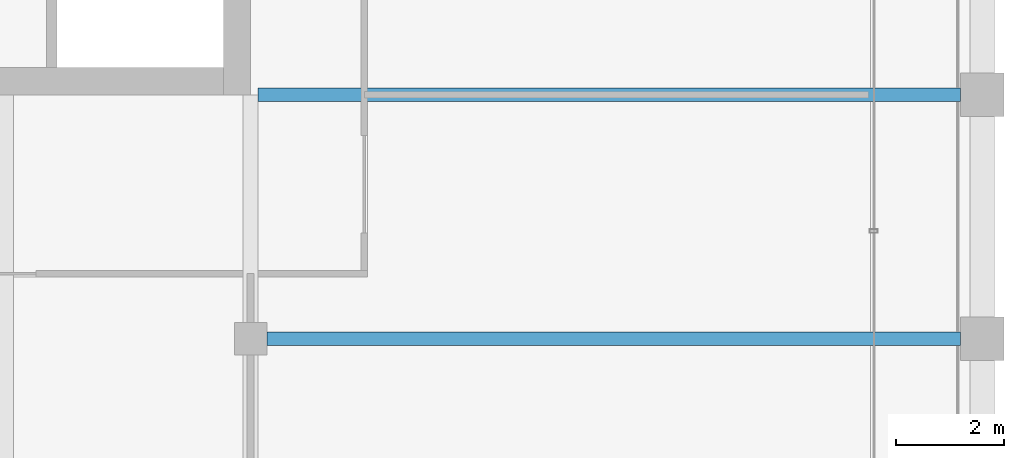
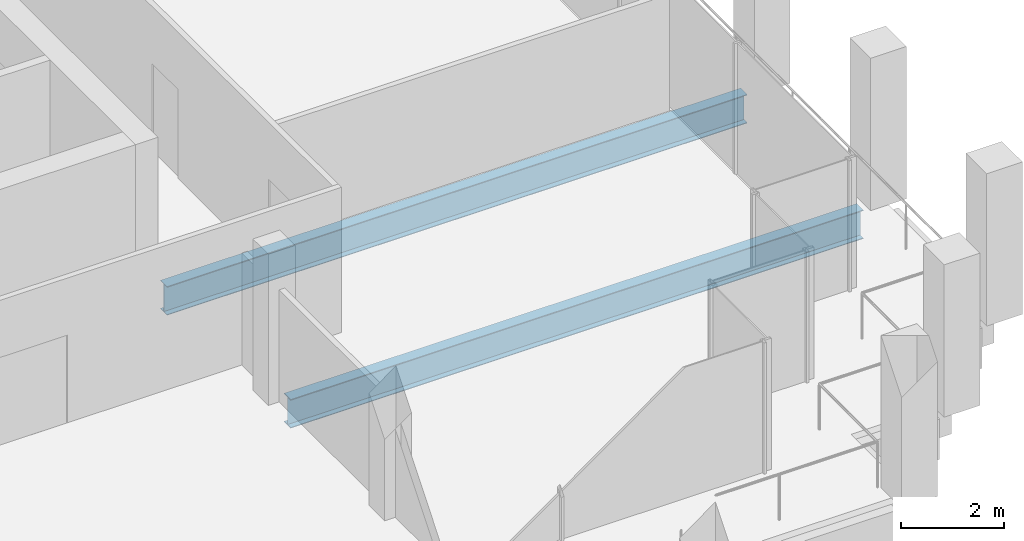
# One storey, part 14 of 30: 2 beams.
"""IFC4 building model written with IfcOpenShell, lengths in metres."""

from ifc_helpers import new_model, si_unit, direction, frame, origin, origin_2d, place, context, subcontext, project, spatial, i_section, extrude, material, material_profile, profile_set, type_object, element, save


model = new_model("IFC4")

# Units and contexts
model_context = context("Model", 3, precision=1e-05, world=origin(), true_north=direction((0.0, 1.0)))
body_context = subcontext(model_context, "Body", "Model", "MODEL_VIEW")
ifc_project = project(units=[si_unit("LENGTHUNIT", "METRE"), si_unit("AREAUNIT", "SQUARE_METRE"), si_unit("VOLUMEUNIT", "CUBIC_METRE"), si_unit("PLANEANGLEUNIT", "RADIAN"), si_unit("MASSUNIT", "GRAM", prefix="KILO")], contexts=[model_context])

# Site, building, storey
site_placement = place(None, origin())
site = spatial("IfcSite", under=ifc_project, at=site_placement, CompositionType="ELEMENT")
building_placement = place(site_placement, origin())
building = spatial("IfcBuilding", under=site, at=building_placement, Name="Altepetl Exchange Towers", CompositionType="ELEMENT")
storey_placement = place(building_placement, frame((0.0, 0.0, 231.60009765625)))
storey = spatial("IfcBuildingStorey", under=building, at=storey_placement, Name="L59", CompositionType="ELEMENT", Elevation=231.60009765625)

# Beams
ifc_material = material(Name="Steel S355", Category="steel")
ifc_material_profile = material_profile(ifc_material, i_section(OverallWidth=0.2529296875, OverallDepth=0.677978515625, WebThickness=0.01171875, FlangeThickness=0.016357421875, at=origin_2d()), Name="W27X84")
ifc_profile_set = profile_set([ifc_material_profile], Name="Steel S355")
beam_type = type_object("IfcBeamType", Name="Floor beam W27X84", PredefinedType="BEAM", material=ifc_profile_set)
beam_1_placement = place(storey_placement, frame((58.800048828125, 36.0, -0.489013671875), z_axis=(1.0, 0.0, 0.0), x_axis=(0.0, 1.0, 0.0)))
element("IfcBeam", 1, at=beam_1_placement, inside=storey, type_object=beam_type, Name="bm:A:L59:007", PredefinedType="BEAM", context=body_context, shape_type="SweptSolid", body=[
    extrude(i_section(OverallWidth=0.2529296875, OverallDepth=0.677978515625, WebThickness=0.01171875, FlangeThickness=0.016357421875, at=origin_2d()), origin(), (0.0, 0.0, 1.0), 12.800048828125),
])
beam_2_placement = place(storey_placement, frame((58.634033203125, 40.5, -0.489013671875), z_axis=(1.0, 0.0, 0.0), x_axis=(0.0, 1.0, 0.0)))
element("IfcBeam", 2, at=beam_2_placement, inside=storey, type_object=beam_type, Name="bm:A:L59:008", PredefinedType="BEAM", context=body_context, shape_type="SweptSolid", body=[
    extrude(i_section(OverallWidth=0.2529296875, OverallDepth=0.677978515625, WebThickness=0.01171875, FlangeThickness=0.016357421875, at=origin_2d()), origin(), (0.0, 0.0, 1.0), 12.966064453125),
])

save(model, "model.ifc")
